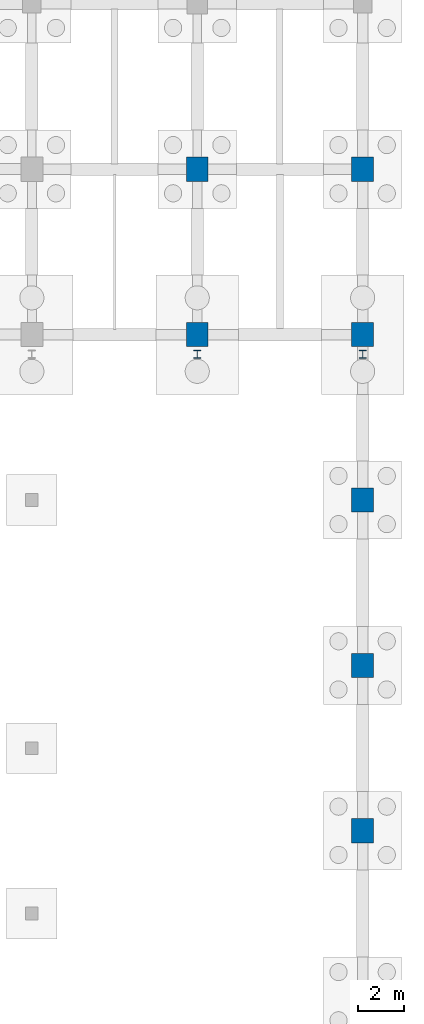
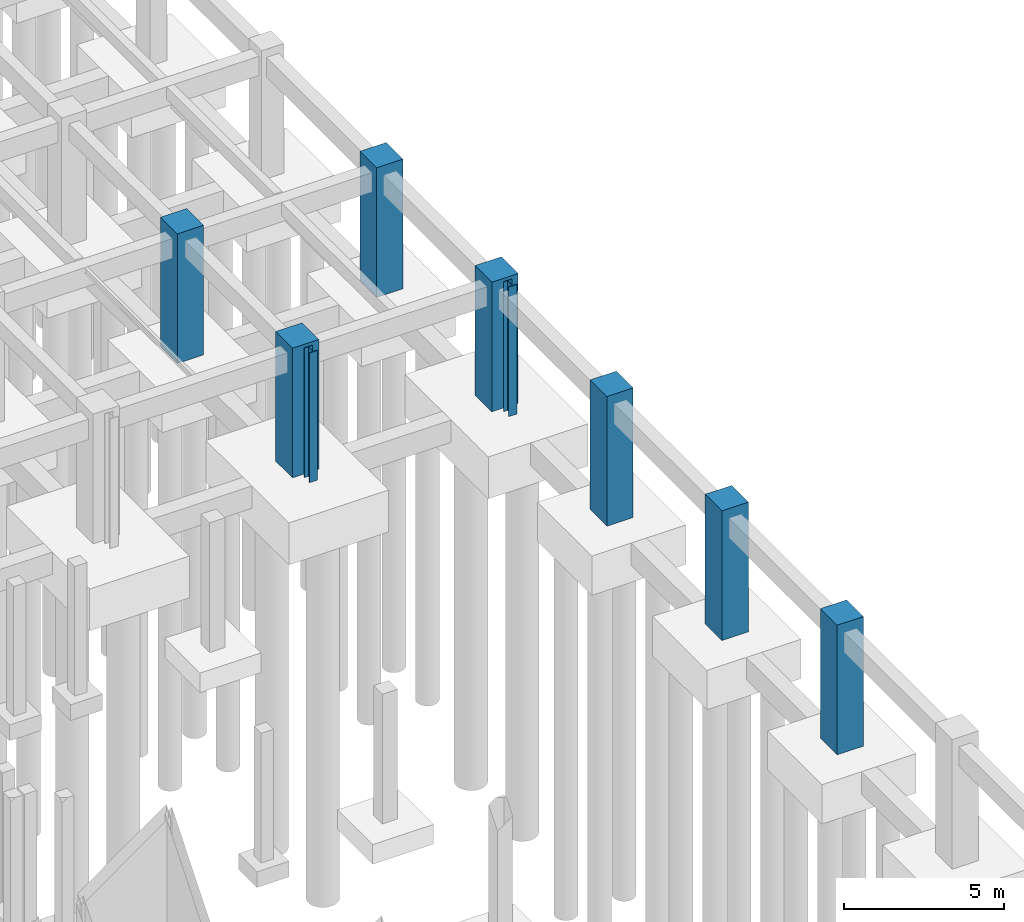
# One storey, part 22 of 47: 9 columns.
"""IFC4 building model written with IfcOpenShell, lengths in metres."""

from ifc_helpers import new_model, si_unit, direction, frame, origin, origin_2d, place, context, subcontext, project, spatial, rectangle, i_section, extrude, material, material_profile, profile_set, type_object, element, save


model = new_model("IFC4")

# Units and contexts
model_context = context("Model", 3, precision=1e-05, world=origin(), true_north=direction((0.0, 1.0)))
body_context = subcontext(model_context, "Body", "Model", "MODEL_VIEW")
ifc_project = project(units=[si_unit("LENGTHUNIT", "METRE"), si_unit("AREAUNIT", "SQUARE_METRE"), si_unit("VOLUMEUNIT", "CUBIC_METRE"), si_unit("PLANEANGLEUNIT", "RADIAN"), si_unit("MASSUNIT", "GRAM", prefix="KILO")], contexts=[model_context])

# Site, building, storey
site_placement = place(None, origin())
site = spatial("IfcSite", under=ifc_project, at=site_placement, CompositionType="ELEMENT")
building_placement = place(site_placement, origin())
building = spatial("IfcBuilding", under=site, at=building_placement, Name="Thalmaran Polytechnic", CompositionType="ELEMENT")
storey_placement = place(building_placement, frame((0.0, 0.0, -4.5)))
storey = spatial("IfcBuildingStorey", under=building, at=storey_placement, Name="B1", CompositionType="ELEMENT", Elevation=-4.5)

# Columns
ifc_material_1 = material(Name="Steel S355", Category="steel")
ifc_material_profile_1 = material_profile(ifc_material_1, i_section(OverallWidth=0.300048828125, OverallDepth=0.340087890625, WebThickness=0.011962890625, FlangeThickness=0.021484375, at=origin_2d()), Name="HEB 340")
ifc_profile_set_1 = profile_set([ifc_material_profile_1], Name="Steel S355")
column_type_1 = type_object("IfcColumnType", Name="COL-SC1", PredefinedType="COLUMN", material=ifc_profile_set_1)
for number, where, z_axis, x_axis, name in (
    (1, (165.60009765625, 49.550048828125, -0.449951171875), (0.0, 0.0, 1.0), (1.0, 0.0, 0.0), "Workshop Crane Runway Column B1 (23,7)"),
    (2, (172.800048828125, 49.550048828125, -0.449951171875), (0.0, 0.0, 1.0), (1.0, 0.0, 0.0), "Workshop Crane Runway Column B1 (24,7)"),
):
    element("IfcColumn", number, at=place(storey_placement, frame(where, z_axis=z_axis, x_axis=x_axis)), inside=storey, type_object=column_type_1, Name=name, PredefinedType="COLUMN", context=body_context, shape_type="SweptSolid", body=[
        extrude(i_section(OverallWidth=0.300048828125, OverallDepth=0.340087890625, WebThickness=0.011962890625, FlangeThickness=0.021484375, at=origin_2d()), origin(), (0.0, 0.0, 1.0), 4.949951171875),
    ])
ifc_material_2 = material(Name="Concrete C50/60", Category="concrete")
ifc_material_profile_2 = material_profile(ifc_material_2, rectangle(XDim=0.949951171875, YDim=1.050048828125, at=origin_2d()), Name="RC 950x1050")
ifc_profile_set_2 = profile_set([ifc_material_profile_2], Name="Concrete C50/60")
column_type_2 = type_object("IfcColumnType", Name="COL-WP2", PredefinedType="COLUMN", material=ifc_profile_set_2)
for number, where, z_axis, x_axis, name in (
    (3, (165.60009765625, 50.39990234375, -0.449951171875), (0.0, 0.0, 1.0), (1.0, 0.0, 0.0), "Column WP2 B1 (23,7)"),
    (4, (165.60009765625, 57.60009765625, -0.449951171875), (0.0, 0.0, 1.0), (1.0, 0.0, 0.0), "Column WP2 B1 (23,8)"),
    (5, (172.800048828125, 28.800048828125, -0.449951171875), (0.0, 0.0, 1.0), (1.0, 0.0, 0.0), "Column WP2 B1 (24,4)"),
    (6, (172.800048828125, 36.0, -0.449951171875), (0.0, 0.0, 1.0), (1.0, 0.0, 0.0), "Column WP2 B1 (24,5)"),
    (7, (172.800048828125, 43.199951171875, -0.449951171875), (0.0, 0.0, 1.0), (1.0, 0.0, 0.0), "Column WP2 B1 (24,6)"),
    (8, (172.800048828125, 50.39990234375, -0.449951171875), (0.0, 0.0, 1.0), (1.0, 0.0, 0.0), "Column WP2 B1 (24,7)"),
    (9, (172.800048828125, 57.60009765625, -0.449951171875), (0.0, 0.0, 1.0), (1.0, 0.0, 0.0), "Column WP2 B1 (24,8)"),
):
    element("IfcColumn", number, at=place(storey_placement, frame(where, z_axis=z_axis, x_axis=x_axis)), inside=storey, type_object=column_type_2, Name=name, PredefinedType="COLUMN", context=body_context, shape_type="SweptSolid", body=[
        extrude(rectangle(XDim=0.949951171875, YDim=1.050048828125, at=origin_2d()), origin(), (0.0, 0.0, 1.0), 4.949951171875),
    ])

save(model, "model.ifc")
